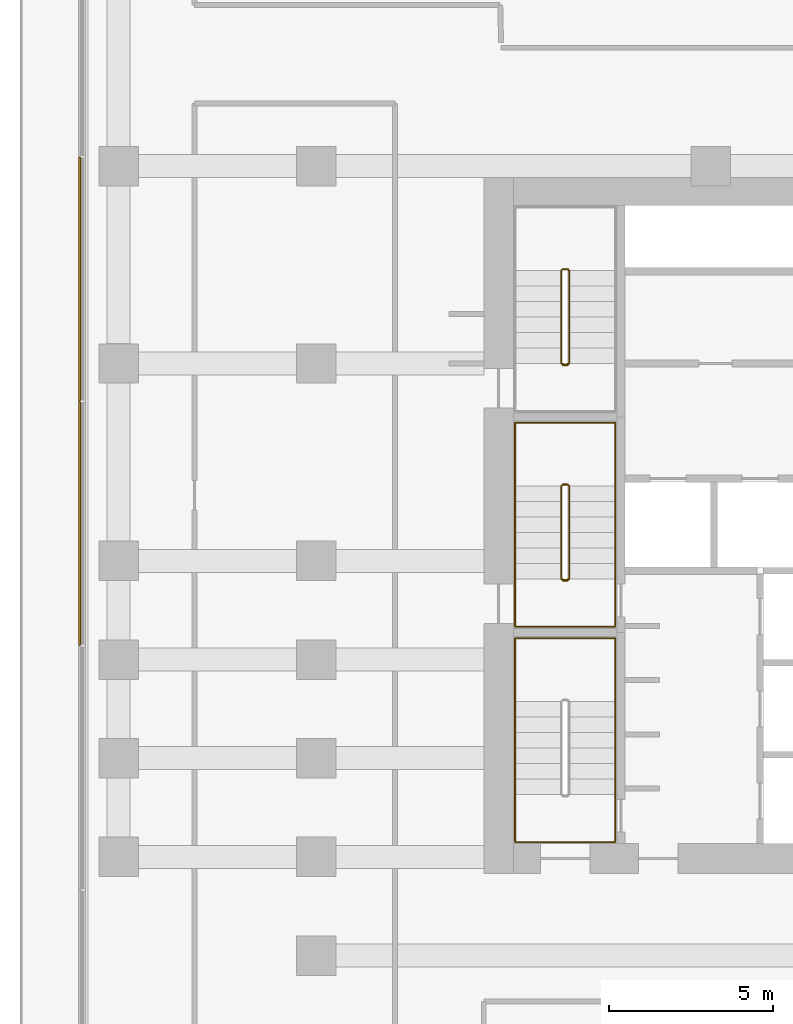
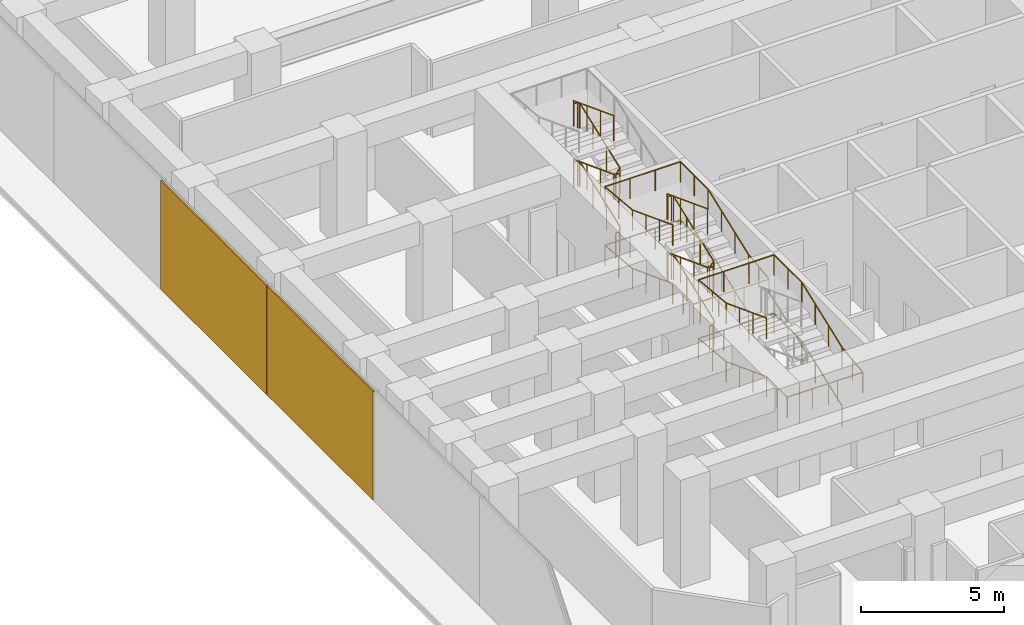
# One storey, part 37 of 40: 4 railings, 2 coverings.
"""IFC4 building model written with IfcOpenShell, lengths in metres."""

import ifcopenshell
import ifcopenshell.guid

model = None  # the IFC model being written
_history = None  # IfcOwnerHistory: only IFC2X3 demands one
_inside = {}  # id of a spatial element -> (the spatial element, [elements in it])
_under = {}  # id of a project, library or spatial element -> (it, [spatial elements below it])
_declared = {}  # id of a project -> (the project, [libraries it declares])
_typed = {}  # id of a type object -> (the type object, [elements of that type])
_made_of = {}  # id of a material, layer set ... -> (it, [elements and type objects made of it])


def new_model(schema):
    """Start an empty IFC model of exactly this schema.

    Asked for "IFC4X3", IfcOpenShell would pick the latest addendum, in which some entities
    have other attributes; the version numbers below select the first issue.
    IFC2X3 requires an IfcOwnerHistory on every rooted entity: one is made here for all.
    """
    global model, _history
    if schema == "IFC4X3":
        model = ifcopenshell.file(schema_version=(4, 3, 0, 0))
    else:
        model = ifcopenshell.file(schema=schema)
    _inside.clear()
    _under.clear()
    _declared.clear()
    _typed.clear()
    _made_of.clear()
    _history = None
    if model.schema == "IFC2X3":
        org = make("IfcOrganization", Name="unknown")
        user = make(
            "IfcPersonAndOrganization",
            ThePerson=make("IfcPerson", FamilyName="unknown"),
            TheOrganization=org,
        )
        app = make(
            "IfcApplication",
            ApplicationDeveloper=org,
            Version="unknown",
            ApplicationFullName="unknown",
            ApplicationIdentifier="unknown",
        )
        _history = make(
            "IfcOwnerHistory",
            OwningUser=user,
            OwningApplication=app,
            ChangeAction="ADDED",
            CreationDate=0,
        )
    return model


def make(cls, **values):
    """One entity of the class cls with the attributes given. An attribute that is None is left unset."""
    return model.create_entity(
        cls, **{name: value for name, value in values.items() if value is not None}
    )


def rooted(cls, **values):
    """An entity with a GlobalId (a new one), such as an element, a storey or a relation."""
    return make(cls, GlobalId=ifcopenshell.guid.new(), OwnerHistory=_history, **values)


def si_unit(unit_type, name, prefix=None):
    """IfcSIUnit, for example si_unit("LENGTHUNIT", "METRE", prefix="MILLI")."""
    return make("IfcSIUnit", UnitType=unit_type, Prefix=prefix, Name=name)


def assignment(units):
    """IfcUnitAssignment: the units of a project."""
    return None if units is None else make("IfcUnitAssignment", Units=units)


def point(xyz):
    """IfcCartesianPoint."""
    return None if xyz is None else make("IfcCartesianPoint", Coordinates=xyz)


def direction(xyz):
    """IfcDirection."""
    return None if xyz is None else make("IfcDirection", DirectionRatios=xyz)


def frame(location, z_axis=None, x_axis=None):
    """IfcAxis2Placement3D, a coordinate frame: its origin and axes. An axis left out is left unset."""
    return make(
        "IfcAxis2Placement3D",
        Location=point(location),
        Axis=direction(z_axis),
        RefDirection=direction(x_axis),
    )


def frame_2d(location, x_axis=None):
    """IfcAxis2Placement2D, a coordinate frame in the plane: its origin and x axis."""
    return make(
        "IfcAxis2Placement2D", Location=point(location), RefDirection=direction(x_axis)
    )


def origin():
    """The frame at (0, 0, 0) with its axes left unset."""
    return frame((0.0, 0.0, 0.0))


def origin_2d():
    """The frame at (0, 0) in the plane with its x axis left unset."""
    return frame_2d((0.0, 0.0))


def place(relative_to, where):
    """IfcLocalPlacement: puts the frame where relative to a parent placement (None: the world)."""
    return make(
        "IfcLocalPlacement", PlacementRelTo=relative_to, RelativePlacement=where
    )


def context(
    kind, dimensions, precision=None, world=None, true_north=None, identifier=None
):
    """IfcGeometricRepresentationContext, for example the 3D "Model" context."""
    return make(
        "IfcGeometricRepresentationContext",
        ContextIdentifier=identifier,
        ContextType=kind,
        CoordinateSpaceDimension=dimensions,
        Precision=precision,
        WorldCoordinateSystem=world,
        TrueNorth=true_north,
    )


def subcontext(parent, identifier, kind, view, scale=None):
    """IfcGeometricRepresentationSubContext, for example "Body" below "Model"."""
    return make(
        "IfcGeometricRepresentationSubContext",
        ContextIdentifier=identifier,
        ContextType=kind,
        ParentContext=parent,
        TargetScale=scale,
        TargetView=view,
    )


def project(units=None, contexts=None):
    """IfcProject with its units and contexts."""
    return rooted(
        "IfcProject",
        Name="project",
        RepresentationContexts=contexts,
        UnitsInContext=assignment(units),
    )


def spatial(cls, under=None, at=None, **own):
    """A site, building, storey or space (cls), placed at a placement, below another one or the project."""
    s = rooted(cls, ObjectPlacement=at, **own)
    if under is not None:
        _under.setdefault(under.id(), (under, []))[1].append(s)
    return s


def profile(cls, at=None, kind="AREA", **sizes):
    """A parametric profile (cls). Its sizes go by their IFC names, for example OverallWidth=200.0."""
    return make(cls, ProfileType=kind, Position=at, **sizes)


def rectangle(**sizes):
    """IfcRectangleProfileDef."""
    return profile("IfcRectangleProfileDef", **sizes)


def circle(**sizes):
    """IfcCircleProfileDef."""
    return profile("IfcCircleProfileDef", **sizes)


def extrude(swept, where, along, depth):
    """IfcExtrudedAreaSolid: the profile swept, set in the frame where, extruded along a direction by depth."""
    return make(
        "IfcExtrudedAreaSolid",
        SweptArea=swept,
        Position=where,
        ExtrudedDirection=direction(along),
        Depth=depth,
    )


def shape(context_of_items, identifier, shape_type, items):
    """IfcShapeRepresentation: the items that make up one representation, for example the "Body"."""
    return make(
        "IfcShapeRepresentation",
        ContextOfItems=context_of_items,
        RepresentationIdentifier=identifier,
        RepresentationType=shape_type,
        Items=items,
    )


def material(Name=None, Category=None):
    """IfcMaterial."""
    return make("IfcMaterial", Name=Name, Category=Category)


def layer(
    of_material, thickness, ventilated=None, Name=None, Category=None, Priority=None
):
    """IfcMaterialLayer: one layer of a wall or slab, of a material (None: an air gap)."""
    return make(
        "IfcMaterialLayer",
        Material=of_material,
        LayerThickness=thickness,
        IsVentilated=ventilated,
        Name=Name,
        Category=Category,
        Priority=Priority,
    )


def layer_set(layers, Name=None):
    """IfcMaterialLayerSet."""
    return make("IfcMaterialLayerSet", MaterialLayers=layers, LayerSetName=Name)


def made_of(thing, what):
    """Note that an element or type object is made of a material, layer set ...; save() writes the relation."""
    if what is not None:
        _made_of.setdefault(what.id(), (what, []))[1].append(thing)
    return thing


def type_object(cls, material=None, **own):
    """A type object (cls), such as IfcWallType, which elements share."""
    return made_of(rooted(cls, **own), material)


def element(
    cls,
    number,
    at=None,
    inside=None,
    cuts=None,
    type_object=None,
    material=None,
    context=None,
    identifier="Body",
    shape_type=None,
    held_by="IfcProductDefinitionShape",
    body=None,
    shapes=None,
    **own,
):
    """One element of the class cls, such as IfcWall. Its Tag is "e" and its number.

    at: its placement. inside: the storey or other place that contains it. cuts: it is an
    opening in that element (IfcRelVoidsElement). A single representation is given by context,
    identifier, shape_type and body (its items); several are given by shapes. held_by: the class
    of the entity that holds the representations. save() writes the other relations.
    """
    e = rooted(cls, Tag="e%d" % number, ObjectPlacement=at, **own)
    if body is not None:
        shapes = [shape(context, identifier, shape_type, body)]
    if shapes is not None:
        e.Representation = make(held_by, Representations=shapes)
    if inside is not None:
        _inside.setdefault(inside.id(), (inside, []))[1].append(e)
    if cuts is not None:
        rooted(
            "IfcRelVoidsElement", RelatingBuildingElement=cuts, RelatedOpeningElement=e
        )
    if type_object is not None:
        _typed.setdefault(type_object.id(), (type_object, []))[1].append(e)
    return made_of(e, material)


def aggregate(whole, parts):
    """IfcRelAggregates: a whole, such as a stair, and the parts it consists of."""
    return rooted("IfcRelAggregates", RelatingObject=whole, RelatedObjects=parts)


def save(model, path):
    """Write the relations noted so far, then the file.

    IfcRelAggregates (storeys below a building ...), IfcRelContainedInSpatialStructure (elements
    in a storey), IfcRelDefinesByType, IfcRelAssociatesMaterial and IfcRelDeclares: one each for
    every whole, place, type object, material and project.
    """
    for whole, parts in _under.values():
        aggregate(whole, parts)
    for where, things in _inside.values():
        rooted(
            "IfcRelContainedInSpatialStructure",
            RelatedElements=things,
            RelatingStructure=where,
        )
    for kind, things in _typed.values():
        rooted("IfcRelDefinesByType", RelatedObjects=things, RelatingType=kind)
    for what, things in _made_of.values():
        rooted("IfcRelAssociatesMaterial", RelatedObjects=things, RelatingMaterial=what)
    for by, libraries in _declared.values():
        rooted("IfcRelDeclares", RelatingContext=by, RelatedDefinitions=libraries)
    model.write(path)


model = new_model("IFC4")

# Units and contexts
model_context = context("Model", 3, precision=1e-05, world=origin(), true_north=direction((0.0, 1.0)))
body_context = subcontext(model_context, "Body", "Model", "MODEL_VIEW")
ifc_project = project(units=[si_unit("LENGTHUNIT", "METRE"), si_unit("AREAUNIT", "SQUARE_METRE"), si_unit("VOLUMEUNIT", "CUBIC_METRE"), si_unit("PLANEANGLEUNIT", "RADIAN"), si_unit("MASSUNIT", "GRAM", prefix="KILO")], contexts=[model_context])

# Site, building, storey
site_placement = place(None, origin())
site = spatial("IfcSite", under=ifc_project, at=site_placement, CompositionType="ELEMENT")
building_placement = place(site_placement, origin())
building = spatial("IfcBuilding", under=site, at=building_placement, Name="Welwitschia Terrace Campus", CompositionType="ELEMENT")
storey_placement = place(building_placement, frame((0.0, 0.0, 6.0)))
storey = spatial("IfcBuildingStorey", under=building, at=storey_placement, Name="L01", CompositionType="ELEMENT", Elevation=6.0)

# Coverings
ifc_material_1 = material(Name="Bronze mesh aluminium screen", Category="aluminium")
ifc_layer = layer(ifc_material_1, 0.06005859375)
ifc_layer_set = layer_set([ifc_layer], Name="Bronze mesh aluminium screen")
covering_type = type_object("IfcCoveringType", Name="Bronze screen 60", PredefinedType="USERDEFINED", material=ifc_layer_set)
for number, where, z_axis, x_axis, name in (
    (1, (-7.18994140625, 22.56689453125, 0.0), (0.0, 0.0, 1.0), (0.0, -1.0, 0.0), "Screen L01.6.5"),
    (2, (-7.18994140625, 15.133544921875, 0.0), (0.0, 0.0, 1.0), (0.0, -1.0, 0.0), "Screen L01.6.6"),
):
    element("IfcCovering", number, at=place(storey_placement, frame(where, z_axis=z_axis, x_axis=x_axis)), inside=storey, type_object=covering_type, Name=name, ObjectType="SCREEN", PredefinedType="USERDEFINED", context=body_context, shape_type="SweptSolid", body=[
        extrude(rectangle(XDim=7.4130859375, YDim=0.06005859375, at=origin_2d()), origin(), (0.0, 0.0, 1.0), 4.64990234375),
    ])

# Railings
ifc_material_2 = material(Name="Steel S355", Category="steel")
railing_type_1 = type_object("IfcRailingType", Name="Stair guard 1100", PredefinedType="GUARDRAIL", material=ifc_material_2)
railing_1_placement = place(storey_placement, frame((7.5, 13.39990234375, 0.0)))
element("IfcRailing", 3, at=railing_1_placement, inside=storey, type_object=railing_type_1, Name="L01 S3 stair guard", PredefinedType="GUARDRAIL", context=body_context, shape_type="SweptSolid", body=[
    extrude(circle(Radius=0.02392578125, at=origin_2d()), frame((0.0, 0.0, 1.076171875), z_axis=(1.0, 0.0, 0.0), x_axis=(0.0, 1.0, 0.0)), (0.0, 0.0, 1.0), 0.14990234375),
    extrude(circle(Radius=0.02392578125, at=origin_2d()), frame((0.14990234375, 0.0, 1.076171875), z_axis=(0.260684529273, 0.260684529273, 0.929562882432), x_axis=(-0.707106781187, 0.707106781187, 0.0)), (0.0, 0.0, 1.0), 0.19189453125),
    extrude(circle(Radius=0.02392578125, at=origin_2d()), frame((0.199951171875, 0.050048828125, 1.25439453125), z_axis=(0.0, 0.934793791609, 0.355190888354), x_axis=(-1.0, 0.0, 0.0)), (0.0, 0.0, 1.0), 3.016845703125),
    extrude(circle(Radius=0.02392578125, at=origin_2d()), frame((0.199951171875, 2.8701171875, 2.326171875), z_axis=(-0.707106781187, 0.707106781187, 0.0), x_axis=(-0.707106781187, -0.707106781187, 0.0)), (0.0, 0.0, 1.0), 0.07080078125),
    extrude(circle(Radius=0.02392578125, at=origin_2d()), frame((0.14990234375, 2.920166015625, 2.326171875), z_axis=(-1.0, 0.0, 0.0), x_axis=(0.0, -1.0, 0.0)), (0.0, 0.0, 1.0), 0.14990234375),
    extrude(circle(Radius=0.02392578125, at=origin_2d()), frame((0.0, 2.920166015625, 2.326171875), z_axis=(-0.260684529273, -0.260684529273, 0.929562882432), x_axis=(0.707106781187, -0.707106781187, 0.0)), (0.0, 0.0, 1.0), 0.19189453125),
    extrude(circle(Radius=0.02392578125, at=origin_2d()), frame((-0.050048828125, 2.8701171875, 2.50439453125), z_axis=(0.0, -0.934793791609, 0.355190888354), x_axis=(1.0, 0.0, 0.0)), (0.0, 0.0, 1.0), 3.016845703125),
    extrude(circle(Radius=0.02392578125, at=origin_2d()), frame((-0.050048828125, 0.050048828125, 3.576171875), z_axis=(0.970072785993, -0.242814311512, 0.0), x_axis=(0.242814311512, 0.970072785993, 0.0)), (0.0, 0.0, 1.0), 0.2060546875),
    extrude(circle(Radius=0.02392578125, at=origin_2d()), frame((0.14990234375, 0.0, 3.576171875), z_axis=(-1.0, 0.0, 0.0), x_axis=(0.0, -1.0, 0.0)), (0.0, 0.0, 1.0), 0.14990234375),
    extrude(circle(Radius=0.02392578125, at=origin_2d()), frame((0.0, 0.0, 3.576171875), z_axis=(0.733373273104, 0.183567180691, 0.654573702856), x_axis=(-0.242814311512, 0.970072785993, 0.0)), (0.0, 0.0, 1.0), 0.272705078125),
    extrude(circle(Radius=0.02392578125, at=origin_2d()), frame((0.199951171875, 0.050048828125, 3.75439453125), z_axis=(0.0, 0.934793791609, 0.355190888354), x_axis=(-1.0, 0.0, 0.0)), (0.0, 0.0, 1.0), 3.016845703125),
    extrude(circle(Radius=0.02392578125, at=origin_2d()), frame((0.199951171875, 2.8701171875, 4.826171875), z_axis=(-0.707106781187, 0.707106781187, 0.0), x_axis=(-0.707106781187, -0.707106781187, 0.0)), (0.0, 0.0, 1.0), 0.07080078125),
    extrude(circle(Radius=0.02392578125, at=origin_2d()), frame((0.14990234375, 2.920166015625, 4.826171875), z_axis=(-1.0, 0.0, 0.0), x_axis=(0.0, -1.0, 0.0)), (0.0, 0.0, 1.0), 0.14990234375),
    extrude(circle(Radius=0.02392578125, at=origin_2d()), frame((0.0, 2.920166015625, 4.826171875), z_axis=(-0.260684529273, -0.260684529273, 0.929562882432), x_axis=(0.707106781187, -0.707106781187, 0.0)), (0.0, 0.0, 1.0), 0.19189453125),
    extrude(circle(Radius=0.02392578125, at=origin_2d()), frame((-0.050048828125, 2.8701171875, 5.00439453125), z_axis=(0.0, -0.934793791609, 0.355190888354), x_axis=(1.0, 0.0, 0.0)), (0.0, 0.0, 1.0), 3.016845703125),
    extrude(circle(Radius=0.02099609375, at=origin_2d()), origin(), (0.0, 0.0, 1.0), 1.052001953125),
    extrude(circle(Radius=0.02099609375, at=origin_2d()), frame((0.14990234375, 0.0, 0.0)), (0.0, 0.0, 1.0), 1.052001953125),
    extrude(circle(Radius=0.02099609375, at=origin_2d()), frame((0.199951171875, 0.050048828125, 0.178466796875)), (0.0, 0.0, 1.0), 1.052001953125),
    extrude(circle(Radius=0.02099609375, at=origin_2d()), frame((0.199951171875, 0.989990234375, 0.53564453125)), (0.0, 0.0, 1.0), 1.052001953125),
    extrude(circle(Radius=0.02099609375, at=origin_2d()), frame((0.199951171875, 1.93017578125, 0.892822265625)), (0.0, 0.0, 1.0), 1.052001953125),
    extrude(circle(Radius=0.02099609375, at=origin_2d()), frame((0.199951171875, 2.8701171875, 1.25)), (0.0, 0.0, 1.0), 1.052001953125),
    extrude(circle(Radius=0.02099609375, at=origin_2d()), frame((0.14990234375, 2.920166015625, 1.25)), (0.0, 0.0, 1.0), 1.052001953125),
    extrude(circle(Radius=0.02099609375, at=origin_2d()), frame((0.0, 2.920166015625, 1.25)), (0.0, 0.0, 1.0), 1.052001953125),
    extrude(circle(Radius=0.02099609375, at=origin_2d()), frame((-0.050048828125, 2.8701171875, 1.428466796875)), (0.0, 0.0, 1.0), 1.052001953125),
    extrude(circle(Radius=0.02099609375, at=origin_2d()), frame((-0.050048828125, 1.93017578125, 1.78564453125)), (0.0, 0.0, 1.0), 1.052001953125),
    extrude(circle(Radius=0.02099609375, at=origin_2d()), frame((-0.050048828125, 0.989990234375, 2.142822265625)), (0.0, 0.0, 1.0), 1.052001953125),
    extrude(circle(Radius=0.02099609375, at=origin_2d()), frame((-0.050048828125, 0.050048828125, 2.5)), (0.0, 0.0, 1.0), 1.052001953125),
    extrude(circle(Radius=0.02099609375, at=origin_2d()), frame((0.14990234375, 0.0, 2.5)), (0.0, 0.0, 1.0), 1.052001953125),
    extrude(circle(Radius=0.02099609375, at=origin_2d()), frame((0.0, 0.0, 2.5)), (0.0, 0.0, 1.0), 1.052001953125),
    extrude(circle(Radius=0.02099609375, at=origin_2d()), frame((0.199951171875, 0.050048828125, 2.678466796875)), (0.0, 0.0, 1.0), 1.052001953125),
    extrude(circle(Radius=0.02099609375, at=origin_2d()), frame((0.199951171875, 0.989990234375, 3.03564453125)), (0.0, 0.0, 1.0), 1.052001953125),
    extrude(circle(Radius=0.02099609375, at=origin_2d()), frame((0.199951171875, 1.93017578125, 3.392822265625)), (0.0, 0.0, 1.0), 1.052001953125),
    extrude(circle(Radius=0.02099609375, at=origin_2d()), frame((0.199951171875, 2.8701171875, 3.75)), (0.0, 0.0, 1.0), 1.052001953125),
    extrude(circle(Radius=0.02099609375, at=origin_2d()), frame((0.14990234375, 2.920166015625, 3.75)), (0.0, 0.0, 1.0), 1.052001953125),
    extrude(circle(Radius=0.02099609375, at=origin_2d()), frame((0.0, 2.920166015625, 3.75)), (0.0, 0.0, 1.0), 1.052001953125),
    extrude(circle(Radius=0.02099609375, at=origin_2d()), frame((-0.050048828125, 2.8701171875, 3.928466796875)), (0.0, 0.0, 1.0), 1.052001953125),
    extrude(circle(Radius=0.02099609375, at=origin_2d()), frame((-0.050048828125, 1.93017578125, 4.28564453125)), (0.0, 0.0, 1.0), 1.052001953125),
    extrude(circle(Radius=0.02099609375, at=origin_2d()), frame((-0.050048828125, 0.989990234375, 4.642822265625)), (0.0, 0.0, 1.0), 1.052001953125),
    extrude(circle(Radius=0.02099609375, at=origin_2d()), frame((-0.050048828125, 0.050048828125, 5.0)), (0.0, 0.0, 1.0), 1.052001953125),
])
railing_2_placement = place(storey_placement, frame((7.5, 19.949951171875, 0.0)))
element("IfcRailing", 4, at=railing_2_placement, inside=storey, type_object=railing_type_1, Name="L01 S4 stair guard", PredefinedType="GUARDRAIL", context=body_context, shape_type="SweptSolid", body=[
    extrude(circle(Radius=0.02392578125, at=origin_2d()), frame((0.0, 0.0, 1.076171875), z_axis=(1.0, 0.0, 0.0), x_axis=(0.0, 1.0, 0.0)), (0.0, 0.0, 1.0), 0.14990234375),
    extrude(circle(Radius=0.02392578125, at=origin_2d()), frame((0.14990234375, 0.0, 1.076171875), z_axis=(0.260684529273, 0.260684529273, 0.929562882432), x_axis=(-0.707106781187, 0.707106781187, 0.0)), (0.0, 0.0, 1.0), 0.19189453125),
    extrude(circle(Radius=0.02392578125, at=origin_2d()), frame((0.199951171875, 0.050048828125, 1.25439453125), z_axis=(0.0, 0.934793791609, 0.355190888354), x_axis=(-1.0, 0.0, 0.0)), (0.0, 0.0, 1.0), 3.016845703125),
    extrude(circle(Radius=0.02392578125, at=origin_2d()), frame((0.199951171875, 2.8701171875, 2.326171875), z_axis=(-0.707106781187, 0.707106781187, 0.0), x_axis=(-0.707106781187, -0.707106781187, 0.0)), (0.0, 0.0, 1.0), 0.07080078125),
    extrude(circle(Radius=0.02392578125, at=origin_2d()), frame((0.14990234375, 2.920166015625, 2.326171875), z_axis=(-1.0, 0.0, 0.0), x_axis=(0.0, -1.0, 0.0)), (0.0, 0.0, 1.0), 0.14990234375),
    extrude(circle(Radius=0.02392578125, at=origin_2d()), frame((0.0, 2.920166015625, 2.326171875), z_axis=(-0.260684529273, -0.260684529273, 0.929562882432), x_axis=(0.707106781187, -0.707106781187, 0.0)), (0.0, 0.0, 1.0), 0.19189453125),
    extrude(circle(Radius=0.02392578125, at=origin_2d()), frame((-0.050048828125, 2.8701171875, 2.50439453125), z_axis=(0.0, -0.934793791609, 0.355190888354), x_axis=(1.0, 0.0, 0.0)), (0.0, 0.0, 1.0), 3.016845703125),
    extrude(circle(Radius=0.02392578125, at=origin_2d()), frame((-0.050048828125, 0.050048828125, 3.576171875), z_axis=(0.970072785993, -0.242814311512, 0.0), x_axis=(0.242814311512, 0.970072785993, 0.0)), (0.0, 0.0, 1.0), 0.2060546875),
    extrude(circle(Radius=0.02392578125, at=origin_2d()), frame((0.14990234375, 0.0, 3.576171875), z_axis=(-1.0, 0.0, 0.0), x_axis=(0.0, -1.0, 0.0)), (0.0, 0.0, 1.0), 0.14990234375),
    extrude(circle(Radius=0.02392578125, at=origin_2d()), frame((0.0, 0.0, 3.576171875), z_axis=(0.733373273104, 0.183567180691, 0.654573702856), x_axis=(-0.242814311512, 0.970072785993, 0.0)), (0.0, 0.0, 1.0), 0.272705078125),
    extrude(circle(Radius=0.02392578125, at=origin_2d()), frame((0.199951171875, 0.050048828125, 3.75439453125), z_axis=(0.0, 0.934793791609, 0.355190888354), x_axis=(-1.0, 0.0, 0.0)), (0.0, 0.0, 1.0), 3.016845703125),
    extrude(circle(Radius=0.02392578125, at=origin_2d()), frame((0.199951171875, 2.8701171875, 4.826171875), z_axis=(-0.707106781187, 0.707106781187, 0.0), x_axis=(-0.707106781187, -0.707106781187, 0.0)), (0.0, 0.0, 1.0), 0.07080078125),
    extrude(circle(Radius=0.02392578125, at=origin_2d()), frame((0.14990234375, 2.920166015625, 4.826171875), z_axis=(-1.0, 0.0, 0.0), x_axis=(0.0, -1.0, 0.0)), (0.0, 0.0, 1.0), 0.14990234375),
    extrude(circle(Radius=0.02392578125, at=origin_2d()), frame((0.0, 2.920166015625, 4.826171875), z_axis=(-0.260684529273, -0.260684529273, 0.929562882432), x_axis=(0.707106781187, -0.707106781187, 0.0)), (0.0, 0.0, 1.0), 0.19189453125),
    extrude(circle(Radius=0.02392578125, at=origin_2d()), frame((-0.050048828125, 2.8701171875, 5.00439453125), z_axis=(0.0, -0.934793791609, 0.355190888354), x_axis=(1.0, 0.0, 0.0)), (0.0, 0.0, 1.0), 3.016845703125),
    extrude(circle(Radius=0.02099609375, at=origin_2d()), origin(), (0.0, 0.0, 1.0), 1.052001953125),
    extrude(circle(Radius=0.02099609375, at=origin_2d()), frame((0.14990234375, 0.0, 0.0)), (0.0, 0.0, 1.0), 1.052001953125),
    extrude(circle(Radius=0.02099609375, at=origin_2d()), frame((0.199951171875, 0.050048828125, 0.178466796875)), (0.0, 0.0, 1.0), 1.052001953125),
    extrude(circle(Radius=0.02099609375, at=origin_2d()), frame((0.199951171875, 0.989990234375, 0.53564453125)), (0.0, 0.0, 1.0), 1.052001953125),
    extrude(circle(Radius=0.02099609375, at=origin_2d()), frame((0.199951171875, 1.93017578125, 0.892822265625)), (0.0, 0.0, 1.0), 1.052001953125),
    extrude(circle(Radius=0.02099609375, at=origin_2d()), frame((0.199951171875, 2.8701171875, 1.25)), (0.0, 0.0, 1.0), 1.052001953125),
    extrude(circle(Radius=0.02099609375, at=origin_2d()), frame((0.14990234375, 2.920166015625, 1.25)), (0.0, 0.0, 1.0), 1.052001953125),
    extrude(circle(Radius=0.02099609375, at=origin_2d()), frame((0.0, 2.920166015625, 1.25)), (0.0, 0.0, 1.0), 1.052001953125),
    extrude(circle(Radius=0.02099609375, at=origin_2d()), frame((-0.050048828125, 2.8701171875, 1.428466796875)), (0.0, 0.0, 1.0), 1.052001953125),
    extrude(circle(Radius=0.02099609375, at=origin_2d()), frame((-0.050048828125, 1.93017578125, 1.78564453125)), (0.0, 0.0, 1.0), 1.052001953125),
    extrude(circle(Radius=0.02099609375, at=origin_2d()), frame((-0.050048828125, 0.989990234375, 2.142822265625)), (0.0, 0.0, 1.0), 1.052001953125),
    extrude(circle(Radius=0.02099609375, at=origin_2d()), frame((-0.050048828125, 0.050048828125, 2.5)), (0.0, 0.0, 1.0), 1.052001953125),
    extrude(circle(Radius=0.02099609375, at=origin_2d()), frame((0.14990234375, 0.0, 2.5)), (0.0, 0.0, 1.0), 1.052001953125),
    extrude(circle(Radius=0.02099609375, at=origin_2d()), frame((0.0, 0.0, 2.5)), (0.0, 0.0, 1.0), 1.052001953125),
    extrude(circle(Radius=0.02099609375, at=origin_2d()), frame((0.199951171875, 0.050048828125, 2.678466796875)), (0.0, 0.0, 1.0), 1.052001953125),
    extrude(circle(Radius=0.02099609375, at=origin_2d()), frame((0.199951171875, 0.989990234375, 3.03564453125)), (0.0, 0.0, 1.0), 1.052001953125),
    extrude(circle(Radius=0.02099609375, at=origin_2d()), frame((0.199951171875, 1.93017578125, 3.392822265625)), (0.0, 0.0, 1.0), 1.052001953125),
    extrude(circle(Radius=0.02099609375, at=origin_2d()), frame((0.199951171875, 2.8701171875, 3.75)), (0.0, 0.0, 1.0), 1.052001953125),
    extrude(circle(Radius=0.02099609375, at=origin_2d()), frame((0.14990234375, 2.920166015625, 3.75)), (0.0, 0.0, 1.0), 1.052001953125),
    extrude(circle(Radius=0.02099609375, at=origin_2d()), frame((0.0, 2.920166015625, 3.75)), (0.0, 0.0, 1.0), 1.052001953125),
    extrude(circle(Radius=0.02099609375, at=origin_2d()), frame((-0.050048828125, 2.8701171875, 3.928466796875)), (0.0, 0.0, 1.0), 1.052001953125),
    extrude(circle(Radius=0.02099609375, at=origin_2d()), frame((-0.050048828125, 1.93017578125, 4.28564453125)), (0.0, 0.0, 1.0), 1.052001953125),
    extrude(circle(Radius=0.02099609375, at=origin_2d()), frame((-0.050048828125, 0.989990234375, 4.642822265625)), (0.0, 0.0, 1.0), 1.052001953125),
    extrude(circle(Radius=0.02099609375, at=origin_2d()), frame((-0.050048828125, 0.050048828125, 5.0)), (0.0, 0.0, 1.0), 1.052001953125),
])
ifc_material_3 = material(Name="Steel S355", Category="steel")
railing_type_2 = type_object("IfcRailingType", Name="Stair handrail 900", PredefinedType="HANDRAIL", material=ifc_material_3)
railing_3_placement = place(storey_placement, frame((9.10009765625, 6.89990234375, 0.178466796875)))
element("IfcRailing", 5, at=railing_3_placement, inside=storey, type_object=railing_type_2, Name="L01 S1 stair handrail", PredefinedType="HANDRAIL", context=body_context, shape_type="SweptSolid", body=[
    extrude(circle(Radius=0.02392578125, at=origin_2d()), frame((0.0, 0.0, 0.8759765625), z_axis=(0.0, 0.934793791609, 0.355190888354), x_axis=(-1.0, 0.0, 0.0)), (0.0, 0.0, 1.0), 3.016845703125),
    extrude(circle(Radius=0.02392578125, at=origin_2d()), frame((0.0, 2.820068359375, 1.947265625), z_axis=(0.0, 1.0, 0.0), x_axis=(-1.0, 0.0, 0.0)), (0.0, 0.0, 1.0), 1.929931640625),
    extrude(circle(Radius=0.02392578125, at=origin_2d()), frame((0.0, 4.75, 1.947265625), z_axis=(-1.0, 0.0, 0.0), x_axis=(0.0, -1.0, 0.0)), (0.0, 0.0, 1.0), 3.050048828125),
    extrude(circle(Radius=0.02392578125, at=origin_2d()), frame((-3.050048828125, 4.75, 1.947265625), z_axis=(0.0, -0.995751588871, 0.092080254455), x_axis=(1.0, 0.0, 0.0)), (0.0, 0.0, 1.0), 1.938232421875),
    extrude(circle(Radius=0.02392578125, at=origin_2d()), frame((-3.050048828125, 2.820068359375, 2.1259765625), z_axis=(0.0, -0.934793791609, 0.355190888354), x_axis=(1.0, 0.0, 0.0)), (0.0, 0.0, 1.0), 3.016845703125),
    extrude(circle(Radius=0.02392578125, at=origin_2d()), frame((-3.050048828125, 0.0, 3.197265625), z_axis=(0.0, -1.0, 0.0), x_axis=(1.0, 0.0, 0.0)), (0.0, 0.0, 1.0), 1.449951171875),
    extrude(circle(Radius=0.02392578125, at=origin_2d()), frame((-3.050048828125, -1.449951171875, 3.197265625), z_axis=(1.0, 0.0, 0.0), x_axis=(0.0, 1.0, 0.0)), (0.0, 0.0, 1.0), 3.050048828125),
    extrude(circle(Radius=0.02392578125, at=origin_2d()), frame((0.0, -1.449951171875, 3.197265625), z_axis=(0.0, 0.992510075744, 0.122162799355), x_axis=(-1.0, 0.0, 0.0)), (0.0, 0.0, 1.0), 1.4609375),
    extrude(circle(Radius=0.02392578125, at=origin_2d()), frame((0.0, 0.0, 3.3759765625), z_axis=(0.0, 0.934793791609, 0.355190888354), x_axis=(-1.0, 0.0, 0.0)), (0.0, 0.0, 1.0), 3.016845703125),
    extrude(circle(Radius=0.02392578125, at=origin_2d()), frame((0.0, 2.820068359375, 4.447265625), z_axis=(0.0, 1.0, 0.0), x_axis=(-1.0, 0.0, 0.0)), (0.0, 0.0, 1.0), 1.929931640625),
    extrude(circle(Radius=0.02392578125, at=origin_2d()), frame((0.0, 4.75, 4.447265625), z_axis=(-1.0, 0.0, 0.0), x_axis=(0.0, -1.0, 0.0)), (0.0, 0.0, 1.0), 3.050048828125),
    extrude(circle(Radius=0.02392578125, at=origin_2d()), frame((-3.050048828125, 4.75, 4.447265625), z_axis=(0.0, -0.995751588871, 0.092080254455), x_axis=(1.0, 0.0, 0.0)), (0.0, 0.0, 1.0), 1.938232421875),
    extrude(circle(Radius=0.02392578125, at=origin_2d()), frame((-3.050048828125, 2.820068359375, 4.6259765625), z_axis=(0.0, -0.934793791609, 0.355190888354), x_axis=(1.0, 0.0, 0.0)), (0.0, 0.0, 1.0), 3.016845703125),
    extrude(circle(Radius=0.02099609375, at=origin_2d()), origin(), (0.0, 0.0, 1.0), 0.851806640625),
    extrude(circle(Radius=0.02099609375, at=origin_2d()), frame((0.0, 0.93994140625, 0.357177734375)), (0.0, 0.0, 1.0), 0.851806640625),
    extrude(circle(Radius=0.02099609375, at=origin_2d()), frame((0.0, 1.880126953125, 0.71435546875)), (0.0, 0.0, 1.0), 0.851806640625),
    extrude(circle(Radius=0.02099609375, at=origin_2d()), frame((0.0, 2.820068359375, 1.071533203125)), (0.0, 0.0, 1.0), 0.851806640625),
    extrude(circle(Radius=0.02099609375, at=origin_2d()), frame((0.0, 3.78515625, 1.071533203125)), (0.0, 0.0, 1.0), 0.851806640625),
    extrude(circle(Radius=0.02099609375, at=origin_2d()), frame((0.0, 4.75, 1.071533203125)), (0.0, 0.0, 1.0), 0.851806640625),
    extrude(circle(Radius=0.02099609375, at=origin_2d()), frame((-1.0166015625, 4.75, 1.071533203125)), (0.0, 0.0, 1.0), 0.851806640625),
    extrude(circle(Radius=0.02099609375, at=origin_2d()), frame((-2.033447265625, 4.75, 1.071533203125)), (0.0, 0.0, 1.0), 0.851806640625),
    extrude(circle(Radius=0.02099609375, at=origin_2d()), frame((-3.050048828125, 4.75, 1.071533203125)), (0.0, 0.0, 1.0), 0.851806640625),
    extrude(circle(Radius=0.02099609375, at=origin_2d()), frame((-3.050048828125, 3.78515625, 1.16064453125)), (0.0, 0.0, 1.0), 0.851806640625),
    extrude(circle(Radius=0.02099609375, at=origin_2d()), frame((-3.050048828125, 2.820068359375, 1.25)), (0.0, 0.0, 1.0), 0.851806640625),
    extrude(circle(Radius=0.02099609375, at=origin_2d()), frame((-3.050048828125, 1.880126953125, 1.607177734375)), (0.0, 0.0, 1.0), 0.851806640625),
    extrude(circle(Radius=0.02099609375, at=origin_2d()), frame((-3.050048828125, 0.93994140625, 1.96435546875)), (0.0, 0.0, 1.0), 0.851806640625),
    extrude(circle(Radius=0.02099609375, at=origin_2d()), frame((-3.050048828125, 0.0, 2.321533203125)), (0.0, 0.0, 1.0), 0.851806640625),
    extrude(circle(Radius=0.02099609375, at=origin_2d()), frame((-3.050048828125, -0.72509765625, 2.321533203125)), (0.0, 0.0, 1.0), 0.851806640625),
    extrude(circle(Radius=0.02099609375, at=origin_2d()), frame((-3.050048828125, -1.449951171875, 2.321533203125)), (0.0, 0.0, 1.0), 0.851806640625),
    extrude(circle(Radius=0.02099609375, at=origin_2d()), frame((-2.033447265625, -1.449951171875, 2.321533203125)), (0.0, 0.0, 1.0), 0.851806640625),
    extrude(circle(Radius=0.02099609375, at=origin_2d()), frame((-1.0166015625, -1.449951171875, 2.321533203125)), (0.0, 0.0, 1.0), 0.851806640625),
    extrude(circle(Radius=0.02099609375, at=origin_2d()), frame((0.0, -1.449951171875, 2.321533203125)), (0.0, 0.0, 1.0), 0.851806640625),
    extrude(circle(Radius=0.02099609375, at=origin_2d()), frame((0.0, -0.72509765625, 2.41064453125)), (0.0, 0.0, 1.0), 0.851806640625),
    extrude(circle(Radius=0.02099609375, at=origin_2d()), frame((0.0, 0.0, 2.5)), (0.0, 0.0, 1.0), 0.851806640625),
    extrude(circle(Radius=0.02099609375, at=origin_2d()), frame((0.0, 0.93994140625, 2.857177734375)), (0.0, 0.0, 1.0), 0.851806640625),
    extrude(circle(Radius=0.02099609375, at=origin_2d()), frame((0.0, 1.880126953125, 3.21435546875)), (0.0, 0.0, 1.0), 0.851806640625),
    extrude(circle(Radius=0.02099609375, at=origin_2d()), frame((0.0, 2.820068359375, 3.571533203125)), (0.0, 0.0, 1.0), 0.851806640625),
    extrude(circle(Radius=0.02099609375, at=origin_2d()), frame((0.0, 3.78515625, 3.571533203125)), (0.0, 0.0, 1.0), 0.851806640625),
    extrude(circle(Radius=0.02099609375, at=origin_2d()), frame((0.0, 4.75, 3.571533203125)), (0.0, 0.0, 1.0), 0.851806640625),
    extrude(circle(Radius=0.02099609375, at=origin_2d()), frame((-1.0166015625, 4.75, 3.571533203125)), (0.0, 0.0, 1.0), 0.851806640625),
    extrude(circle(Radius=0.02099609375, at=origin_2d()), frame((-2.033447265625, 4.75, 3.571533203125)), (0.0, 0.0, 1.0), 0.851806640625),
    extrude(circle(Radius=0.02099609375, at=origin_2d()), frame((-3.050048828125, 4.75, 3.571533203125)), (0.0, 0.0, 1.0), 0.851806640625),
    extrude(circle(Radius=0.02099609375, at=origin_2d()), frame((-3.050048828125, 3.78515625, 3.66064453125)), (0.0, 0.0, 1.0), 0.851806640625),
    extrude(circle(Radius=0.02099609375, at=origin_2d()), frame((-3.050048828125, 2.820068359375, 3.75)), (0.0, 0.0, 1.0), 0.851806640625),
    extrude(circle(Radius=0.02099609375, at=origin_2d()), frame((-3.050048828125, 1.880126953125, 4.107177734375)), (0.0, 0.0, 1.0), 0.851806640625),
    extrude(circle(Radius=0.02099609375, at=origin_2d()), frame((-3.050048828125, 0.93994140625, 4.46435546875)), (0.0, 0.0, 1.0), 0.851806640625),
    extrude(circle(Radius=0.02099609375, at=origin_2d()), frame((-3.050048828125, 0.0, 4.821533203125)), (0.0, 0.0, 1.0), 0.851806640625),
])
railing_4_placement = place(storey_placement, frame((9.10009765625, 13.449951171875, 0.178466796875)))
element("IfcRailing", 6, at=railing_4_placement, inside=storey, type_object=railing_type_2, Name="L01 S3 stair handrail", PredefinedType="HANDRAIL", context=body_context, shape_type="SweptSolid", body=[
    extrude(circle(Radius=0.02392578125, at=origin_2d()), frame((0.0, 0.0, 0.8759765625), z_axis=(0.0, 0.934793791609, 0.355190888354), x_axis=(-1.0, 0.0, 0.0)), (0.0, 0.0, 1.0), 3.016845703125),
    extrude(circle(Radius=0.02392578125, at=origin_2d()), frame((0.0, 2.820068359375, 1.947265625), z_axis=(0.0, 1.0, 0.0), x_axis=(-1.0, 0.0, 0.0)), (0.0, 0.0, 1.0), 1.929931640625),
    extrude(circle(Radius=0.02392578125, at=origin_2d()), frame((0.0, 4.75, 1.947265625), z_axis=(-1.0, 0.0, 0.0), x_axis=(0.0, -1.0, 0.0)), (0.0, 0.0, 1.0), 3.050048828125),
    extrude(circle(Radius=0.02392578125, at=origin_2d()), frame((-3.050048828125, 4.75, 1.947265625), z_axis=(0.0, -0.995751588871, 0.092080254455), x_axis=(1.0, 0.0, 0.0)), (0.0, 0.0, 1.0), 1.938232421875),
    extrude(circle(Radius=0.02392578125, at=origin_2d()), frame((-3.050048828125, 2.820068359375, 2.1259765625), z_axis=(0.0, -0.934793791609, 0.355190888354), x_axis=(1.0, 0.0, 0.0)), (0.0, 0.0, 1.0), 3.016845703125),
    extrude(circle(Radius=0.02392578125, at=origin_2d()), frame((-3.050048828125, 0.0, 3.197265625), z_axis=(0.0, -1.0, 0.0), x_axis=(1.0, 0.0, 0.0)), (0.0, 0.0, 1.0), 1.449951171875),
    extrude(circle(Radius=0.02392578125, at=origin_2d()), frame((-3.050048828125, -1.449951171875, 3.197265625), z_axis=(1.0, 0.0, 0.0), x_axis=(0.0, 1.0, 0.0)), (0.0, 0.0, 1.0), 3.050048828125),
    extrude(circle(Radius=0.02392578125, at=origin_2d()), frame((0.0, -1.449951171875, 3.197265625), z_axis=(0.0, 0.992510075744, 0.122162799355), x_axis=(-1.0, 0.0, 0.0)), (0.0, 0.0, 1.0), 1.4609375),
    extrude(circle(Radius=0.02392578125, at=origin_2d()), frame((0.0, 0.0, 3.3759765625), z_axis=(0.0, 0.934793791609, 0.355190888354), x_axis=(-1.0, 0.0, 0.0)), (0.0, 0.0, 1.0), 3.016845703125),
    extrude(circle(Radius=0.02392578125, at=origin_2d()), frame((0.0, 2.820068359375, 4.447265625), z_axis=(0.0, 1.0, 0.0), x_axis=(-1.0, 0.0, 0.0)), (0.0, 0.0, 1.0), 1.929931640625),
    extrude(circle(Radius=0.02392578125, at=origin_2d()), frame((0.0, 4.75, 4.447265625), z_axis=(-1.0, 0.0, 0.0), x_axis=(0.0, -1.0, 0.0)), (0.0, 0.0, 1.0), 3.050048828125),
    extrude(circle(Radius=0.02392578125, at=origin_2d()), frame((-3.050048828125, 4.75, 4.447265625), z_axis=(0.0, -0.995751588871, 0.092080254455), x_axis=(1.0, 0.0, 0.0)), (0.0, 0.0, 1.0), 1.938232421875),
    extrude(circle(Radius=0.02392578125, at=origin_2d()), frame((-3.050048828125, 2.820068359375, 4.6259765625), z_axis=(0.0, -0.934793791609, 0.355190888354), x_axis=(1.0, 0.0, 0.0)), (0.0, 0.0, 1.0), 3.016845703125),
    extrude(circle(Radius=0.02099609375, at=origin_2d()), origin(), (0.0, 0.0, 1.0), 0.851806640625),
    extrude(circle(Radius=0.02099609375, at=origin_2d()), frame((0.0, 0.93994140625, 0.357177734375)), (0.0, 0.0, 1.0), 0.851806640625),
    extrude(circle(Radius=0.02099609375, at=origin_2d()), frame((0.0, 1.880126953125, 0.71435546875)), (0.0, 0.0, 1.0), 0.851806640625),
    extrude(circle(Radius=0.02099609375, at=origin_2d()), frame((0.0, 2.820068359375, 1.071533203125)), (0.0, 0.0, 1.0), 0.851806640625),
    extrude(circle(Radius=0.02099609375, at=origin_2d()), frame((0.0, 3.78515625, 1.071533203125)), (0.0, 0.0, 1.0), 0.851806640625),
    extrude(circle(Radius=0.02099609375, at=origin_2d()), frame((0.0, 4.75, 1.071533203125)), (0.0, 0.0, 1.0), 0.851806640625),
    extrude(circle(Radius=0.02099609375, at=origin_2d()), frame((-1.0166015625, 4.75, 1.071533203125)), (0.0, 0.0, 1.0), 0.851806640625),
    extrude(circle(Radius=0.02099609375, at=origin_2d()), frame((-2.033447265625, 4.75, 1.071533203125)), (0.0, 0.0, 1.0), 0.851806640625),
    extrude(circle(Radius=0.02099609375, at=origin_2d()), frame((-3.050048828125, 4.75, 1.071533203125)), (0.0, 0.0, 1.0), 0.851806640625),
    extrude(circle(Radius=0.02099609375, at=origin_2d()), frame((-3.050048828125, 3.78515625, 1.16064453125)), (0.0, 0.0, 1.0), 0.851806640625),
    extrude(circle(Radius=0.02099609375, at=origin_2d()), frame((-3.050048828125, 2.820068359375, 1.25)), (0.0, 0.0, 1.0), 0.851806640625),
    extrude(circle(Radius=0.02099609375, at=origin_2d()), frame((-3.050048828125, 1.880126953125, 1.607177734375)), (0.0, 0.0, 1.0), 0.851806640625),
    extrude(circle(Radius=0.02099609375, at=origin_2d()), frame((-3.050048828125, 0.93994140625, 1.96435546875)), (0.0, 0.0, 1.0), 0.851806640625),
    extrude(circle(Radius=0.02099609375, at=origin_2d()), frame((-3.050048828125, 0.0, 2.321533203125)), (0.0, 0.0, 1.0), 0.851806640625),
    extrude(circle(Radius=0.02099609375, at=origin_2d()), frame((-3.050048828125, -0.72509765625, 2.321533203125)), (0.0, 0.0, 1.0), 0.851806640625),
    extrude(circle(Radius=0.02099609375, at=origin_2d()), frame((-3.050048828125, -1.449951171875, 2.321533203125)), (0.0, 0.0, 1.0), 0.851806640625),
    extrude(circle(Radius=0.02099609375, at=origin_2d()), frame((-2.033447265625, -1.449951171875, 2.321533203125)), (0.0, 0.0, 1.0), 0.851806640625),
    extrude(circle(Radius=0.02099609375, at=origin_2d()), frame((-1.0166015625, -1.449951171875, 2.321533203125)), (0.0, 0.0, 1.0), 0.851806640625),
    extrude(circle(Radius=0.02099609375, at=origin_2d()), frame((0.0, -1.449951171875, 2.321533203125)), (0.0, 0.0, 1.0), 0.851806640625),
    extrude(circle(Radius=0.02099609375, at=origin_2d()), frame((0.0, -0.72509765625, 2.41064453125)), (0.0, 0.0, 1.0), 0.851806640625),
    extrude(circle(Radius=0.02099609375, at=origin_2d()), frame((0.0, 0.0, 2.5)), (0.0, 0.0, 1.0), 0.851806640625),
    extrude(circle(Radius=0.02099609375, at=origin_2d()), frame((0.0, 0.93994140625, 2.857177734375)), (0.0, 0.0, 1.0), 0.851806640625),
    extrude(circle(Radius=0.02099609375, at=origin_2d()), frame((0.0, 1.880126953125, 3.21435546875)), (0.0, 0.0, 1.0), 0.851806640625),
    extrude(circle(Radius=0.02099609375, at=origin_2d()), frame((0.0, 2.820068359375, 3.571533203125)), (0.0, 0.0, 1.0), 0.851806640625),
    extrude(circle(Radius=0.02099609375, at=origin_2d()), frame((0.0, 3.78515625, 3.571533203125)), (0.0, 0.0, 1.0), 0.851806640625),
    extrude(circle(Radius=0.02099609375, at=origin_2d()), frame((0.0, 4.75, 3.571533203125)), (0.0, 0.0, 1.0), 0.851806640625),
    extrude(circle(Radius=0.02099609375, at=origin_2d()), frame((-1.0166015625, 4.75, 3.571533203125)), (0.0, 0.0, 1.0), 0.851806640625),
    extrude(circle(Radius=0.02099609375, at=origin_2d()), frame((-2.033447265625, 4.75, 3.571533203125)), (0.0, 0.0, 1.0), 0.851806640625),
    extrude(circle(Radius=0.02099609375, at=origin_2d()), frame((-3.050048828125, 4.75, 3.571533203125)), (0.0, 0.0, 1.0), 0.851806640625),
    extrude(circle(Radius=0.02099609375, at=origin_2d()), frame((-3.050048828125, 3.78515625, 3.66064453125)), (0.0, 0.0, 1.0), 0.851806640625),
    extrude(circle(Radius=0.02099609375, at=origin_2d()), frame((-3.050048828125, 2.820068359375, 3.75)), (0.0, 0.0, 1.0), 0.851806640625),
    extrude(circle(Radius=0.02099609375, at=origin_2d()), frame((-3.050048828125, 1.880126953125, 4.107177734375)), (0.0, 0.0, 1.0), 0.851806640625),
    extrude(circle(Radius=0.02099609375, at=origin_2d()), frame((-3.050048828125, 0.93994140625, 4.46435546875)), (0.0, 0.0, 1.0), 0.851806640625),
    extrude(circle(Radius=0.02099609375, at=origin_2d()), frame((-3.050048828125, 0.0, 4.821533203125)), (0.0, 0.0, 1.0), 0.851806640625),
])

save(model, "model.ifc")
